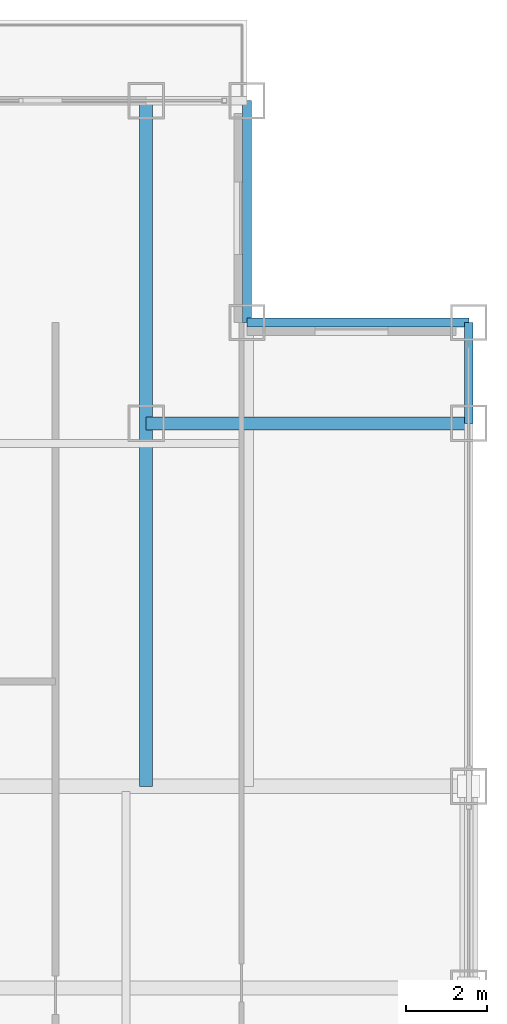
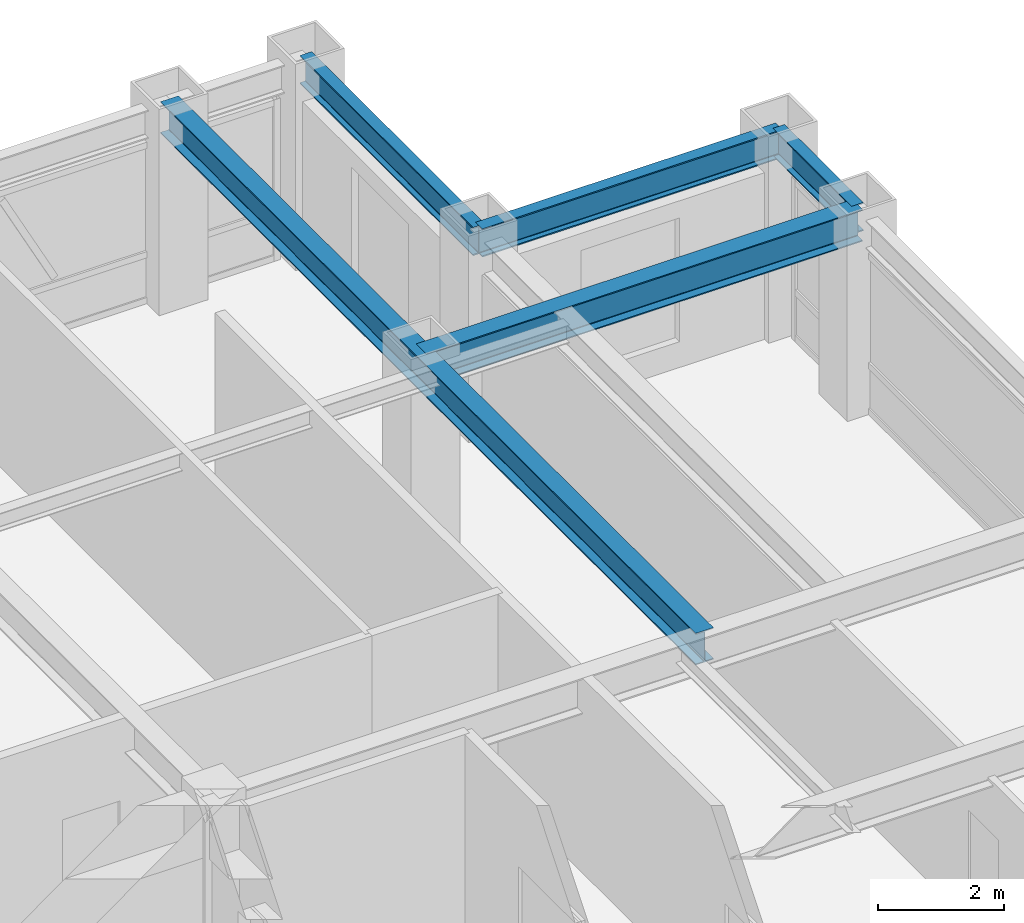
# One storey, part 23 of 32: 5 beams.
"""IFC4 building model written with IfcOpenShell, lengths in metres."""

from ifc_helpers import new_model, si_unit, direction, frame, origin, origin_2d, place, context, subcontext, project, spatial, i_section, extrude, source, transform, mapped, material, material_profile, profile_set, type_object, element, save


model = new_model("IFC4")

# Units and contexts
model_context = context("Model", 3, precision=1e-05, world=origin(), true_north=direction((0.0, 1.0)))
body_context = subcontext(model_context, "Body", "Model", "MODEL_VIEW")
ifc_project = project(units=[si_unit("LENGTHUNIT", "METRE"), si_unit("AREAUNIT", "SQUARE_METRE"), si_unit("VOLUMEUNIT", "CUBIC_METRE"), si_unit("PLANEANGLEUNIT", "RADIAN"), si_unit("MASSUNIT", "GRAM", prefix="KILO")], contexts=[model_context])

# Site, building, storey
site_placement = place(None, origin())
site = spatial("IfcSite", under=ifc_project, at=site_placement, CompositionType="ELEMENT")
building_placement = place(site_placement, origin())
building = spatial("IfcBuilding", under=site, at=building_placement, Name="Khorayat Bourse Tower", CompositionType="ELEMENT")
storey_placement = place(building_placement, frame((0.0, 0.0, 273.5)))
storey = spatial("IfcBuildingStorey", under=building, at=storey_placement, Name="L64", CompositionType="ELEMENT", Elevation=273.5)

# Beams
ifc_material = material(Name="Steel ASTM A992 Grade 50", Category="steel")
ifc_material_profile_1 = material_profile(ifc_material, i_section(OverallWidth=0.324951171875, OverallDepth=0.615966796875, WebThickness=0.013916015625, FlangeThickness=0.021484375, FilletRadius=0.01611328125, at=origin_2d()), Name="W610X174")
ifc_profile_set_1 = profile_set([ifc_material_profile_1], Name="Steel ASTM A992 Grade 50")
beam_type_1 = type_object("IfcBeamType", Name="BM-GIRD-610", PredefinedType="BEAM", material=ifc_profile_set_1)
shared_shape_1 = source(origin(), body_context, "Body", "SweptSolid", [
    extrude(i_section(OverallWidth=0.324951171875, OverallDepth=0.615966796875, WebThickness=0.013916015625, FlangeThickness=0.021484375, FilletRadius=0.01611328125, at=origin_2d()), origin(), (0.0, 0.0, 1.0), 17.0),
])
beam_1_placement = place(storey_placement, frame((20.0, 11.0, 3.471923828125), z_axis=(0.0, 1.0, 0.0), x_axis=(-1.0, 0.0, 0.0)))
element("IfcBeam", 1, at=beam_1_placement, inside=storey, type_object=beam_type_1, Name="L64 BM-GIRD-610 BM-L64-CNRY-087", PredefinedType="BEAM", context=body_context, shape_type="MappedRepresentation", body=[
    mapped(shared_shape_1, transform((0.0, 0.0, 0.0), scale=1.0)),
])
shared_shape_2 = source(origin(), body_context, "Body", "SweptSolid", [
    extrude(i_section(OverallWidth=0.324951171875, OverallDepth=0.615966796875, WebThickness=0.013916015625, FlangeThickness=0.021484375, FilletRadius=0.01611328125, at=origin_2d()), origin(), (0.0, 0.0, 1.0), 8.0),
])
beam_2_placement = place(storey_placement, frame((20.0, 20.0, 3.471923828125), z_axis=(1.0, 0.0, 0.0), x_axis=(0.0, 1.0, 0.0)))
element("IfcBeam", 2, at=beam_2_placement, inside=storey, type_object=beam_type_1, Name="L64 BM-GIRD-610 BM-L64-CNRX-094", PredefinedType="BEAM", context=body_context, shape_type="MappedRepresentation", body=[
    mapped(shared_shape_2, transform((0.0, 0.0, 0.0), scale=1.0)),
])
ifc_material_profile_2 = material_profile(ifc_material, i_section(OverallWidth=0.214111328125, OverallDepth=0.549072265625, WebThickness=0.0146484375, FlangeThickness=0.023681640625, FilletRadius=0.013916015625, at=origin_2d()), Name="W530X138")
ifc_profile_set_2 = profile_set([ifc_material_profile_2], Name="Steel ASTM A992 Grade 50")
beam_type_2 = type_object("IfcBeamType", Name="BM-SPAN-530", PredefinedType="SPANDREL", material=ifc_profile_set_2)
shared_shape_3 = source(origin(), body_context, "Body", "SweptSolid", [
    extrude(i_section(OverallWidth=0.214111328125, OverallDepth=0.549072265625, WebThickness=0.0146484375, FlangeThickness=0.023681640625, FilletRadius=0.013916015625, at=origin_2d()), origin(), (0.0, 0.0, 1.0), 2.5),
])
beam_3_placement = place(storey_placement, frame((28.0, 20.0, 3.505615234375), z_axis=(0.0, 1.0, 0.0), x_axis=(-1.0, 0.0, 0.0)))
element("IfcBeam", 3, at=beam_3_placement, inside=storey, type_object=beam_type_2, Name="L64 BM-SPAN-530 BM-L64-SPN-041", PredefinedType="SPANDREL", context=body_context, shape_type="MappedRepresentation", body=[
    mapped(shared_shape_3, transform((0.0, 0.0, 0.0), scale=1.0)),
])
shared_shape_4 = source(origin(), body_context, "Body", "SweptSolid", [
    extrude(i_section(OverallWidth=0.214111328125, OverallDepth=0.549072265625, WebThickness=0.0146484375, FlangeThickness=0.023681640625, FilletRadius=0.013916015625, at=origin_2d()), origin(), (0.0, 0.0, 1.0), 5.5),
])
for number, where, z_axis, x_axis, name in (
    (4, (22.5, 22.5, 3.505615234375), (1.0, 0.0, 0.0), (0.0, 1.0, 0.0), "L64 BM-SPAN-530 BM-L64-SPN-042"),
    (5, (22.5, 22.5, 3.505615234375), (0.0, 1.0, 0.0), (-1.0, 0.0, 0.0), "L64 BM-SPAN-530 BM-L64-SPN-043"),
):
    element("IfcBeam", number, at=place(storey_placement, frame(where, z_axis=z_axis, x_axis=x_axis)), inside=storey, type_object=beam_type_2, Name=name, PredefinedType="SPANDREL", context=body_context, shape_type="MappedRepresentation", body=[
        mapped(shared_shape_4, transform((0.0, 0.0, 0.0), scale=1.0)),
    ])

save(model, "model.ifc")
